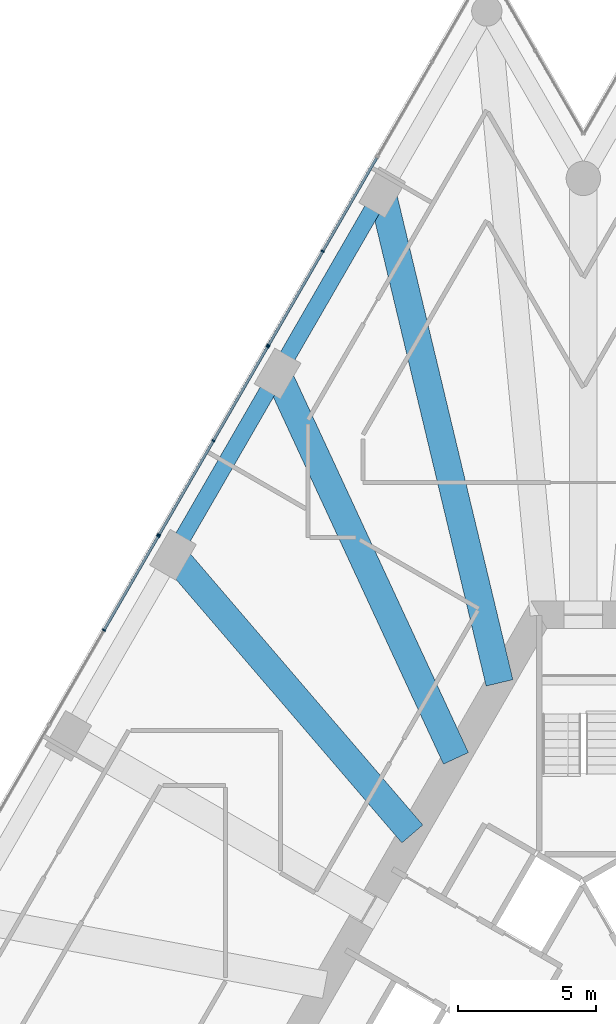
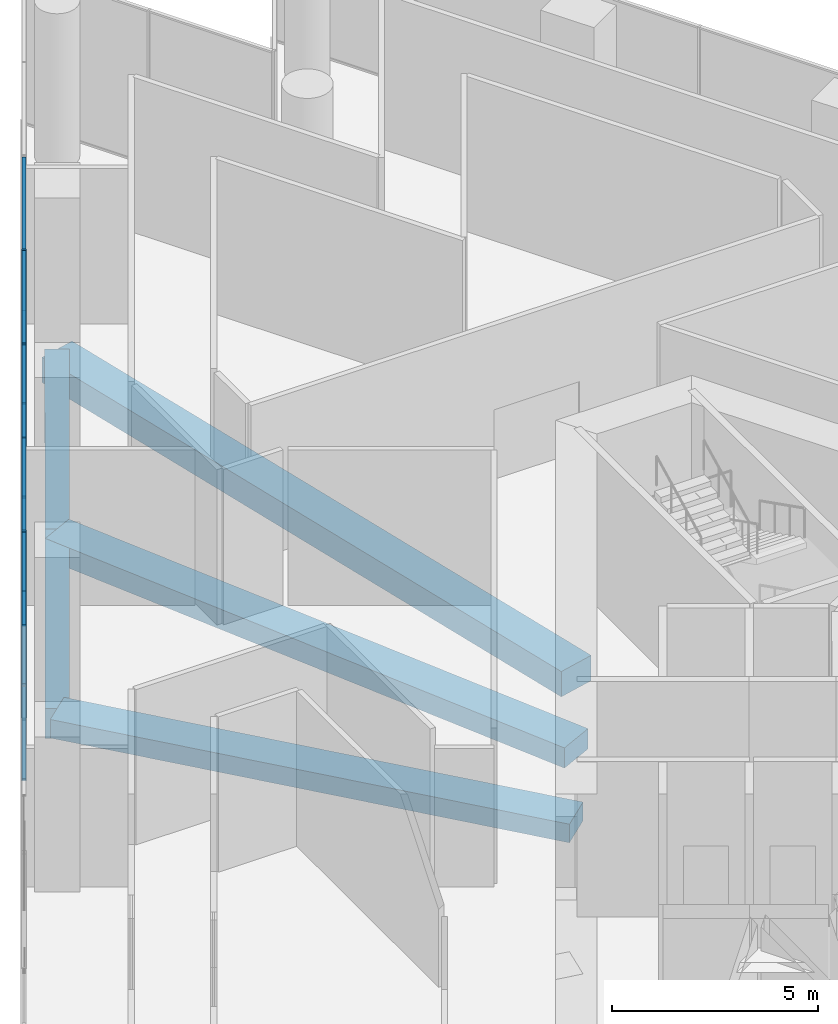
# One storey, part 13 of 32: 17 members, 5 beams, 3 elements without a shape of their own.
"""IFC4 building model written with IfcOpenShell, lengths in metres."""

from ifc_helpers import new_model, si_unit, direction, frame, origin, origin_2d, place, context, subcontext, project, spatial, rectangle, extrude, material, layer, layer_set, material_profile, profile_set, type_object, element, aggregate, save


model = new_model("IFC4")

# Units and contexts
model_context = context("Model", 3, precision=1e-05, world=origin(), true_north=direction((0.0, 1.0)))
body_context = subcontext(model_context, "Body", "Model", "MODEL_VIEW")
ifc_project = project(units=[si_unit("LENGTHUNIT", "METRE"), si_unit("AREAUNIT", "SQUARE_METRE"), si_unit("VOLUMEUNIT", "CUBIC_METRE"), si_unit("PLANEANGLEUNIT", "RADIAN"), si_unit("MASSUNIT", "GRAM", prefix="KILO")], contexts=[model_context])

# Site, building, storey
site_placement = place(None, origin())
site = spatial("IfcSite", under=ifc_project, at=site_placement, CompositionType="ELEMENT")
building_placement = place(site_placement, origin())
building = spatial("IfcBuilding", under=site, at=building_placement, Name="Triada Interchange Tower", CompositionType="ELEMENT")
storey_placement = place(building_placement, frame((0.0, 0.0, 25.300048828125)))
storey = spatial("IfcBuildingStorey", under=building, at=storey_placement, Name="L04", CompositionType="ELEMENT", Elevation=25.300048828125)

# Curtain wall, members
ifc_material_1 = material(Name="Aluminium framed glazing", Category="aluminium")
ifc_layer = layer(ifc_material_1, 0.199951171875)
ifc_layer_set = layer_set([ifc_layer], Name="Curtain wall Winter garden glazing")
curtain_wall_type = type_object("IfcCurtainWallType", Name="Curtain wall Winter garden glazing", PredefinedType="NOTDEFINED", material=ifc_layer_set)
curtain_wall_1_placement = place(storey_placement, origin())
curtain_wall_1 = element("IfcCurtainWall", 1, at=curtain_wall_1_placement, inside=storey, type_object=curtain_wall_type, Name="Winter garden glazing CW023 L04", PredefinedType="NOTDEFINED")
ifc_material_2 = material(Name="Aluminium", Category="aluminium")
ifc_material_profile_1 = material_profile(ifc_material_2, rectangle(XDim=0.1201171875, YDim=0.050048828125, at=origin_2d()), Name="Aluminium mullion")
ifc_profile_set_1 = profile_set([ifc_material_profile_1], Name="Aluminium")
member_type_1 = type_object("IfcMemberType", Name="Mullion Winter garden glazing 120x50", PredefinedType="MULLION", material=ifc_profile_set_1)
member_1_placement = place(storey_placement, frame((-9.466552734375, 28.403076171875, 0.0), z_axis=(0.0, 0.0, 1.0), x_axis=(0.866055473648, -0.499947913852, 0.0)))
member_1 = element("IfcMember", 2, at=member_1_placement, type_object=member_type_1, Name="CW023 mullion 2", PredefinedType="MULLION", context=body_context, shape_type="SweptSolid", body=[
    extrude(rectangle(XDim=0.1201171875, YDim=0.050048828125, at=origin_2d()), origin(), (0.0, 0.0, 1.0), 4.599853515625),
])
member_2_placement = place(storey_placement, frame((-11.4375, 24.98876953125, 0.0), z_axis=(0.0, 0.0, 1.0), x_axis=(0.866055473648, -0.499947913852, 0.0)))
member_2 = element("IfcMember", 3, at=member_2_placement, type_object=member_type_1, Name="CW023 mullion 3", PredefinedType="MULLION", context=body_context, shape_type="SweptSolid", body=[
    extrude(rectangle(XDim=0.1201171875, YDim=0.050048828125, at=origin_2d()), origin(), (0.0, 0.0, 1.0), 4.599853515625),
])

curtain_wall_2_placement = place(storey_placement, origin())
curtain_wall_2 = element("IfcCurtainWall", 4, at=curtain_wall_2_placement, inside=storey, type_object=curtain_wall_type, Name="Winter garden glazing CW024 L04", PredefinedType="NOTDEFINED")
member_3_placement = place(storey_placement, frame((-11.468505859375, 24.936279296875, 0.0), z_axis=(0.0, 0.0, 1.0), x_axis=(0.866055473648, -0.499947913852, 0.0)))
member_3 = element("IfcMember", 5, at=member_3_placement, type_object=member_type_1, Name="CW024 mullion 1", PredefinedType="MULLION", context=body_context, shape_type="SweptSolid", body=[
    extrude(rectangle(XDim=0.1201171875, YDim=0.050048828125, at=origin_2d()), origin(), (0.0, 0.0, 1.0), 4.599853515625),
])
member_4_placement = place(storey_placement, frame((-13.439453125, 21.52197265625, 0.0), z_axis=(0.0, 0.0, 1.0), x_axis=(0.866055473648, -0.499947913852, 0.0)))
member_4 = element("IfcMember", 6, at=member_4_placement, type_object=member_type_1, Name="CW024 mullion 2", PredefinedType="MULLION", context=body_context, shape_type="SweptSolid", body=[
    extrude(rectangle(XDim=0.1201171875, YDim=0.050048828125, at=origin_2d()), origin(), (0.0, 0.0, 1.0), 4.599853515625),
])
member_5_placement = place(storey_placement, frame((-15.410400390625, 18.107666015625, 0.0), z_axis=(0.0, 0.0, 1.0), x_axis=(0.866055473648, -0.499947913852, 0.0)))
member_5 = element("IfcMember", 7, at=member_5_placement, type_object=member_type_1, Name="CW024 mullion 3", PredefinedType="MULLION", context=body_context, shape_type="SweptSolid", body=[
    extrude(rectangle(XDim=0.1201171875, YDim=0.050048828125, at=origin_2d()), origin(), (0.0, 0.0, 1.0), 4.599853515625),
])

curtain_wall_3_placement = place(storey_placement, origin())
curtain_wall_3 = element("IfcCurtainWall", 8, at=curtain_wall_3_placement, inside=storey, type_object=curtain_wall_type, Name="Winter garden glazing CW025 L04", PredefinedType="NOTDEFINED")
member_6_placement = place(storey_placement, frame((-15.44140625, 18.055419921875, 0.0), z_axis=(0.0, 0.0, 1.0), x_axis=(0.866086968603, -0.499893351442, 0.0)))
member_6 = element("IfcMember", 9, at=member_6_placement, type_object=member_type_1, Name="CW025 mullion 1", PredefinedType="MULLION", context=body_context, shape_type="SweptSolid", body=[
    extrude(rectangle(XDim=0.1201171875, YDim=0.050048828125, at=origin_2d()), origin(), (0.0, 0.0, 1.0), 4.599853515625),
])
member_7_placement = place(storey_placement, frame((-17.41259765625, 14.640380859375, 0.0), z_axis=(0.0, 0.0, 1.0), x_axis=(0.866086968603, -0.499893351442, 0.0)))
member_7 = element("IfcMember", 10, at=member_7_placement, type_object=member_type_1, Name="CW025 mullion 2", PredefinedType="MULLION", context=body_context, shape_type="SweptSolid", body=[
    extrude(rectangle(XDim=0.1201171875, YDim=0.050048828125, at=origin_2d()), origin(), (0.0, 0.0, 1.0), 4.599853515625),
])

# Beams
ifc_material_3 = material(Name="Concrete C50/60", Category="concrete")
ifc_material_profile_2 = material_profile(ifc_material_3, rectangle(XDim=1.0, YDim=0.550048828125, at=origin_2d()), Name="RC 1000x550")
ifc_profile_set_2 = profile_set([ifc_material_profile_2], Name="Concrete C50/60")
beam_type_1 = type_object("IfcBeamType", Name="Radial band beam P RC 1000x550", PredefinedType="BEAM", material=ifc_profile_set_2)
beam_1_placement = place(storey_placement, frame((-14.906005859375, 17.381103515625, -0.675048828125), z_axis=(0.650979511823, -0.759095300464, 0.0), x_axis=(0.759095300464, 0.650979511823, 0.0)))
element("IfcBeam", 11, at=beam_1_placement, inside=storey, type_object=beam_type_1, Name="Radial band beam BP04 L04", PredefinedType="BEAM", context=body_context, shape_type="SweptSolid", body=[
    extrude(rectangle(XDim=1.0, YDim=0.550048828125, at=origin_2d()), origin(), (0.0, 0.0, 1.0), 13.35693359375),
])
ifc_material_profile_3 = material_profile(ifc_material_3, rectangle(XDim=1.0, YDim=0.60009765625, at=origin_2d()), Name="RC 1000x600")
ifc_profile_set_3 = profile_set([ifc_material_profile_3], Name="Concrete C50/60")
beam_type_2 = type_object("IfcBeamType", Name="Radial band beam P RC 1000x600", PredefinedType="BEAM", material=ifc_profile_set_3)
beam_2_placement = place(storey_placement, frame((-11.10595703125, 23.9619140625, -0.699951171875), z_axis=(0.420512879237, -0.90728656906, 0.0), x_axis=(0.90728656906, 0.420512879237, 0.0)))
element("IfcBeam", 12, at=beam_2_placement, inside=storey, type_object=beam_type_2, Name="Radial band beam BP03 L04", PredefinedType="BEAM", context=body_context, shape_type="SweptSolid", body=[
    extrude(rectangle(XDim=1.0, YDim=0.60009765625, at=origin_2d()), origin(), (0.0, 0.0, 1.0), 15.405029296875),
])
ifc_material_profile_4 = material_profile(ifc_material_3, rectangle(XDim=1.0, YDim=0.75, at=origin_2d()), Name="RC 1000x750")
ifc_profile_set_4 = profile_set([ifc_material_profile_4], Name="Concrete C50/60")
beam_type_3 = type_object("IfcBeamType", Name="Radial band beam P RC 1000x750", PredefinedType="BEAM", material=ifc_profile_set_4)
beam_3_placement = place(storey_placement, frame((-7.306884765625, 30.5439453125, -0.775146484375), z_axis=(0.232645559645, -0.972561588578, 0.0), x_axis=(0.972561588578, 0.232645559645, 0.0)))
element("IfcBeam", 13, at=beam_3_placement, inside=storey, type_object=beam_type_3, Name="Radial band beam BP02 L04", PredefinedType="BEAM", context=body_context, shape_type="SweptSolid", body=[
    extrude(rectangle(XDim=1.0, YDim=0.75, at=origin_2d()), origin(), (0.0, 0.0, 1.0), 18.319580078125),
])
ifc_material_profile_5 = material_profile(ifc_material_3, rectangle(XDim=0.60009765625, YDim=0.89990234375, at=origin_2d()), Name="RC 600x900")
ifc_profile_set_5 = profile_set([ifc_material_profile_5], Name="Concrete C50/60")
beam_type_4 = type_object("IfcBeamType", Name="Spandrel beam P RC 600x900", PredefinedType="BEAM", material=ifc_profile_set_5)
beam_4_placement = place(storey_placement, frame((-7.306884765625, 30.5439453125, -0.85009765625), z_axis=(-0.499894869559, -0.866086092366, 0.0), x_axis=(0.866086092366, -0.499894869559, 0.0)))
element("IfcBeam", 14, at=beam_4_placement, inside=storey, type_object=beam_type_4, Name="Spandrel beam EP02 L04", PredefinedType="BEAM", context=body_context, shape_type="SweptSolid", body=[
    extrude(rectangle(XDim=0.60009765625, YDim=0.89990234375, at=origin_2d()), origin(), (0.0, 0.0, 1.0), 7.599853515625),
])
beam_5_placement = place(storey_placement, frame((-11.10595703125, 23.9619140625, -0.85009765625), z_axis=(-0.500060803479, -0.865990296034, 0.0), x_axis=(0.865990296034, -0.500060803479, 0.0)))
element("IfcBeam", 15, at=beam_5_placement, inside=storey, type_object=beam_type_4, Name="Spandrel beam EP03 L04", PredefinedType="BEAM", context=body_context, shape_type="SweptSolid", body=[
    extrude(rectangle(XDim=0.60009765625, YDim=0.89990234375, at=origin_2d()), origin(), (0.0, 0.0, 1.0), 7.59912109375),
])

# Member
ifc_material_profile_6 = material_profile(ifc_material_2, rectangle(XDim=0.10009765625, YDim=0.050048828125, at=origin_2d()), Name="Aluminium transom")
ifc_profile_set_6 = profile_set([ifc_material_profile_6], Name="Aluminium")
member_type_2 = type_object("IfcMemberType", Name="Transom Winter garden glazing 100x50", PredefinedType="USERDEFINED", material=ifc_profile_set_6)
member_8_placement = place(storey_placement, frame((-7.508056640625, 31.795654296875, 0.02490234375), z_axis=(-0.499950487857, -0.866053987747, 0.0), x_axis=(0.866053987747, -0.499950487857, 0.0)))
member_8 = element("IfcMember", 16, at=member_8_placement, type_object=member_type_2, Name="CW023 transom 1.1", ObjectType="TRANSOM", PredefinedType="USERDEFINED", context=body_context, shape_type="SweptSolid", body=[
    extrude(rectangle(XDim=0.10009765625, YDim=0.050048828125, at=origin_2d()), origin(), (0.0, 0.0, 1.0), 3.892578125),
])

member_9_placement = place(storey_placement, frame((-7.508056640625, 31.795654296875, 4.574951171875), z_axis=(-0.499950487857, -0.866053987747, 0.0), x_axis=(0.866053987747, -0.499950487857, 0.0)))
member_9 = element("IfcMember", 17, at=member_9_placement, type_object=member_type_2, Name="CW023 transom 1.2", ObjectType="TRANSOM", PredefinedType="USERDEFINED", context=body_context, shape_type="SweptSolid", body=[
    extrude(rectangle(XDim=0.10009765625, YDim=0.050048828125, at=origin_2d()), origin(), (0.0, 0.0, 1.0), 3.892578125),
])

member_10_placement = place(storey_placement, frame((-9.47900390625, 28.38134765625, 0.02490234375), z_axis=(-0.499950487857, -0.866053987747, 0.0), x_axis=(0.866053987747, -0.499950487857, 0.0)))
member_10 = element("IfcMember", 18, at=member_10_placement, type_object=member_type_2, Name="CW023 transom 2.1", ObjectType="TRANSOM", PredefinedType="USERDEFINED", context=body_context, shape_type="SweptSolid", body=[
    extrude(rectangle(XDim=0.10009765625, YDim=0.050048828125, at=origin_2d()), origin(), (0.0, 0.0, 1.0), 3.892578125),
])

member_11_placement = place(storey_placement, frame((-9.47900390625, 28.38134765625, 4.574951171875), z_axis=(-0.499950487857, -0.866053987747, 0.0), x_axis=(0.866053987747, -0.499950487857, 0.0)))
member_11 = element("IfcMember", 19, at=member_11_placement, type_object=member_type_2, Name="CW023 transom 2.2", ObjectType="TRANSOM", PredefinedType="USERDEFINED", context=body_context, shape_type="SweptSolid", body=[
    extrude(rectangle(XDim=0.10009765625, YDim=0.050048828125, at=origin_2d()), origin(), (0.0, 0.0, 1.0), 3.892578125),
])

aggregate(curtain_wall_1, [member_1, member_2, member_8, member_9, member_10, member_11])

member_12_placement = place(storey_placement, frame((-11.48095703125, 24.914794921875, 0.02490234375), z_axis=(-0.499950487857, -0.866053987747, 0.0), x_axis=(0.866053987747, -0.499950487857, 0.0)))
member_12 = element("IfcMember", 20, at=member_12_placement, type_object=member_type_2, Name="CW024 transom 1.1", ObjectType="TRANSOM", PredefinedType="USERDEFINED", context=body_context, shape_type="SweptSolid", body=[
    extrude(rectangle(XDim=0.10009765625, YDim=0.050048828125, at=origin_2d()), origin(), (0.0, 0.0, 1.0), 3.892578125),
])

member_13_placement = place(storey_placement, frame((-11.48095703125, 24.914794921875, 4.574951171875), z_axis=(-0.499950487857, -0.866053987747, 0.0), x_axis=(0.866053987747, -0.499950487857, 0.0)))
member_13 = element("IfcMember", 21, at=member_13_placement, type_object=member_type_2, Name="CW024 transom 1.2", ObjectType="TRANSOM", PredefinedType="USERDEFINED", context=body_context, shape_type="SweptSolid", body=[
    extrude(rectangle(XDim=0.10009765625, YDim=0.050048828125, at=origin_2d()), origin(), (0.0, 0.0, 1.0), 3.892578125),
])

member_14_placement = place(storey_placement, frame((-13.451904296875, 21.500244140625, 0.02490234375), z_axis=(-0.499977646359, -0.866038309281, 0.0), x_axis=(0.866038309281, -0.499977646359, 0.0)))
member_14 = element("IfcMember", 22, at=member_14_placement, type_object=member_type_2, Name="CW024 transom 2.1", ObjectType="TRANSOM", PredefinedType="USERDEFINED", context=body_context, shape_type="SweptSolid", body=[
    extrude(rectangle(XDim=0.10009765625, YDim=0.050048828125, at=origin_2d()), origin(), (0.0, 0.0, 1.0), 3.892333984375),
])

member_15_placement = place(storey_placement, frame((-13.451904296875, 21.500244140625, 4.574951171875), z_axis=(-0.499977646359, -0.866038309281, 0.0), x_axis=(0.866038309281, -0.499977646359, 0.0)))
member_15 = element("IfcMember", 23, at=member_15_placement, type_object=member_type_2, Name="CW024 transom 2.2", ObjectType="TRANSOM", PredefinedType="USERDEFINED", context=body_context, shape_type="SweptSolid", body=[
    extrude(rectangle(XDim=0.10009765625, YDim=0.050048828125, at=origin_2d()), origin(), (0.0, 0.0, 1.0), 3.892333984375),
])

aggregate(curtain_wall_2, [member_3, member_4, member_5, member_12, member_13, member_14, member_15])

member_16_placement = place(storey_placement, frame((-15.4541015625, 18.03369140625, 0.02490234375), z_axis=(-0.499849133735, -0.866112488944, 0.0), x_axis=(0.866112488944, -0.499849133735, 0.0)))
member_16 = element("IfcMember", 24, at=member_16_placement, type_object=member_type_2, Name="CW025 transom 1.1", ObjectType="TRANSOM", PredefinedType="USERDEFINED", context=body_context, shape_type="SweptSolid", body=[
    extrude(rectangle(XDim=0.10009765625, YDim=0.050048828125, at=origin_2d()), origin(), (0.0, 0.0, 1.0), 3.892822265625),
])

member_17_placement = place(storey_placement, frame((-15.4541015625, 18.03369140625, 4.574951171875), z_axis=(-0.499849133735, -0.866112488944, 0.0), x_axis=(0.866112488944, -0.499849133735, 0.0)))
member_17 = element("IfcMember", 25, at=member_17_placement, type_object=member_type_2, Name="CW025 transom 1.2", ObjectType="TRANSOM", PredefinedType="USERDEFINED", context=body_context, shape_type="SweptSolid", body=[
    extrude(rectangle(XDim=0.10009765625, YDim=0.050048828125, at=origin_2d()), origin(), (0.0, 0.0, 1.0), 3.892822265625),
])

aggregate(curtain_wall_3, [member_6, member_7, member_16, member_17])

save(model, "model.ifc")
